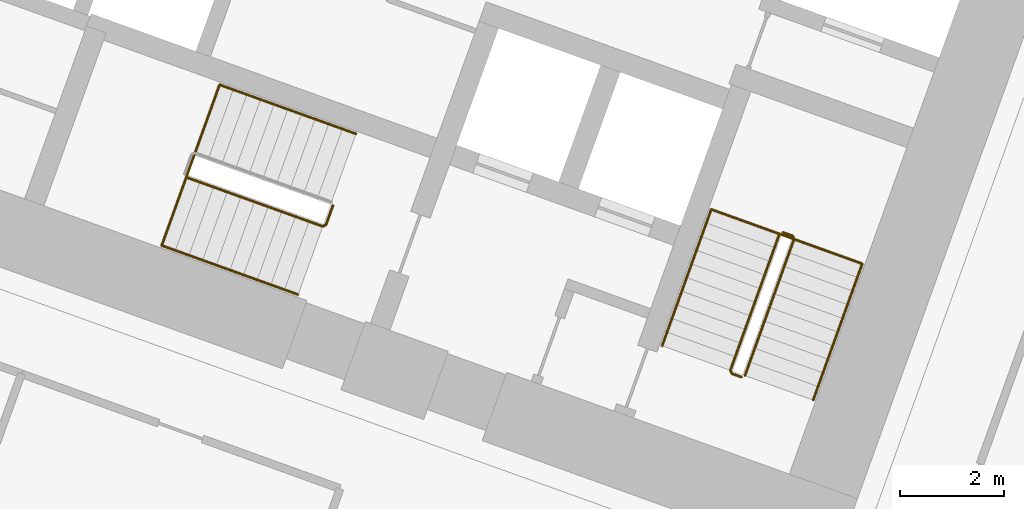
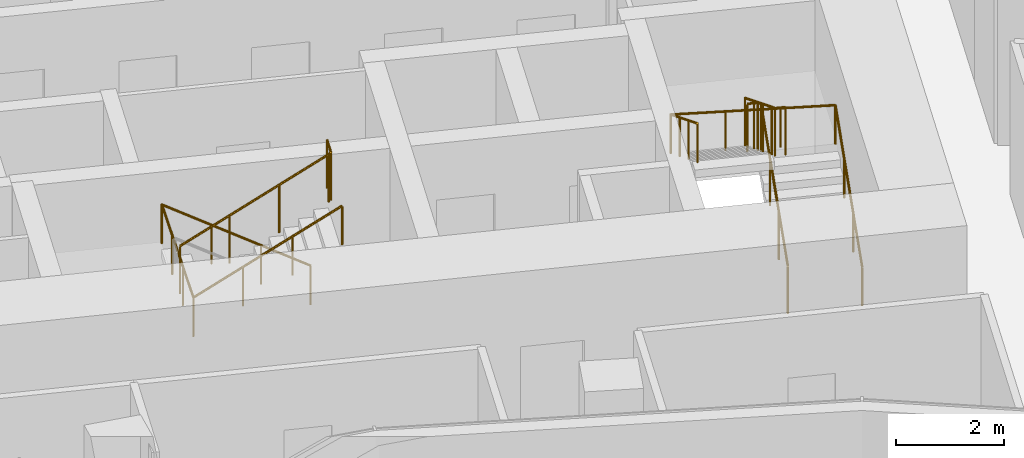
# One storey, part 21 of 21: 5 railings.
"""IFC4 building model written with IfcOpenShell, lengths in metres."""

from ifc_helpers import new_model, si_unit, direction, frame, origin, origin_2d, place, context, subcontext, project, spatial, circle, extrude, material, type_object, element, save


model = new_model("IFC4")

# Units and contexts
model_context = context("Model", 3, precision=1e-05, world=origin(), true_north=direction((0.0, 1.0)))
body_context = subcontext(model_context, "Body", "Model", "MODEL_VIEW")
ifc_project = project(units=[si_unit("LENGTHUNIT", "METRE"), si_unit("AREAUNIT", "SQUARE_METRE"), si_unit("VOLUMEUNIT", "CUBIC_METRE"), si_unit("PLANEANGLEUNIT", "RADIAN"), si_unit("MASSUNIT", "GRAM", prefix="KILO")], contexts=[model_context])

# Site, building, storey
site_placement = place(None, origin())
site = spatial("IfcSite", under=ifc_project, at=site_placement, CompositionType="ELEMENT")
building_placement = place(site_placement, origin())
building = spatial("IfcBuilding", under=site, at=building_placement, Name="Stone Belt Terrace Tower", CompositionType="ELEMENT")
storey_placement = place(building_placement, frame((0.0, 0.0, 159.199951171875)))
storey = spatial("IfcBuildingStorey", under=building, at=storey_placement, Name="L38", CompositionType="ELEMENT", Elevation=159.199951171875)

# Railings
ifc_material = material(Name="Structural steel C345", Category="steel")
railing_type_1 = type_object("IfcRailingType", Name="Stair guard 1100", PredefinedType="GUARDRAIL", material=ifc_material)
railing_1_placement = place(storey_placement, frame((24.494140625, 45.174560546875, 0.1728515625)))
element("IfcRailing", 1, at=railing_1_placement, inside=storey, type_object=railing_type_1, Name="L38 ST1B stair guard 1", PredefinedType="GUARDRAIL", context=body_context, shape_type="SweptSolid", body=[
    extrude(circle(Radius=0.02392578125, at=origin_2d()), frame((0.0, 0.0, 1.076171875), z_axis=(0.288228637646, 0.800791768495, 0.525030280985), x_axis=(-0.940908529223, 0.338660803216, 0.0)), (0.0, 0.0, 1.0), 3.289794921875),
    extrude(circle(Radius=0.02392578125, at=origin_2d()), frame((0.9482421875, 2.634521484375, 2.80322265625), z_axis=(-0.424964916, 0.905209821074, 0.0), x_axis=(-0.905209821074, -0.424964916, 0.0)), (0.0, 0.0, 1.0), 0.070556640625),
    extrude(circle(Radius=0.02392578125, at=origin_2d()), frame((0.918212890625, 2.698486328125, 2.80322265625), z_axis=(-0.941105063269, 0.338114270461, 0.0), x_axis=(-0.338114270461, -0.941105063269, 0.0)), (0.0, 0.0, 1.0), 0.199951171875),
    extrude(circle(Radius=0.02099609375, at=origin_2d()), origin(), (0.0, 0.0, 1.0), 1.052001953125),
    extrude(circle(Radius=0.02099609375, at=origin_2d()), frame((0.316162109375, 0.878173828125, 0.57568359375)), (0.0, 0.0, 1.0), 1.052001953125),
    extrude(circle(Radius=0.02099609375, at=origin_2d()), frame((0.632080078125, 1.75634765625, 1.151611328125)), (0.0, 0.0, 1.0), 1.052001953125),
    extrude(circle(Radius=0.02099609375, at=origin_2d()), frame((0.9482421875, 2.634521484375, 1.727294921875)), (0.0, 0.0, 1.0), 1.052001953125),
    extrude(circle(Radius=0.02099609375, at=origin_2d()), frame((0.918212890625, 2.698486328125, 1.727294921875)), (0.0, 0.0, 1.0), 1.052001953125),
    extrude(circle(Radius=0.02099609375, at=origin_2d()), frame((0.72998046875, 2.76611328125, 1.727294921875)), (0.0, 0.0, 1.0), 1.052001953125),
])
railing_2_placement = place(storey_placement, frame((25.16015625, 47.91064453125, 2.07275390625)))
element("IfcRailing", 2, at=railing_2_placement, inside=storey, type_object=railing_type_1, Name="L38 ST1B stair guard 2", PredefinedType="GUARDRAIL", context=body_context, shape_type="SweptSolid", body=[
    extrude(circle(Radius=0.02392578125, at=origin_2d()), frame((0.0, 0.0, 1.076171875), z_axis=(-0.288228637646, -0.800791768495, 0.525030280985), x_axis=(0.940908529223, -0.338660803216, 0.0)), (0.0, 0.0, 1.0), 3.289794921875),
    extrude(circle(Radius=0.02392578125, at=origin_2d()), frame((-0.9482421875, -2.634521484375, 2.80322265625), z_axis=(0.427789722475, -0.903878284585, 0.0), x_axis=(0.903878284585, 0.427789722475, 0.0)), (0.0, 0.0, 1.0), 0.07080078125),
    extrude(circle(Radius=0.02392578125, at=origin_2d()), frame((-0.91796875, -2.698486328125, 2.80322265625), z_axis=(0.940575576748, -0.339584429008, 0.0), x_axis=(0.339584429008, 0.940575576748, 0.0)), (0.0, 0.0, 1.0), 0.199951171875),
    extrude(circle(Radius=0.02099609375, at=origin_2d()), origin(), (0.0, 0.0, 1.0), 1.052001953125),
    extrude(circle(Radius=0.02099609375, at=origin_2d()), frame((-0.316162109375, -0.878173828125, 0.57568359375)), (0.0, 0.0, 1.0), 1.052001953125),
    extrude(circle(Radius=0.02099609375, at=origin_2d()), frame((-0.632080078125, -1.75634765625, 1.151611328125)), (0.0, 0.0, 1.0), 1.052001953125),
    extrude(circle(Radius=0.02099609375, at=origin_2d()), frame((-0.9482421875, -2.634521484375, 1.727294921875)), (0.0, 0.0, 1.0), 1.052001953125),
    extrude(circle(Radius=0.02099609375, at=origin_2d()), frame((-0.91796875, -2.698486328125, 1.727294921875)), (0.0, 0.0, 1.0), 1.052001953125),
    extrude(circle(Radius=0.02099609375, at=origin_2d()), frame((-0.72998046875, -2.766357421875, 1.727294921875)), (0.0, 0.0, 1.0), 1.052001953125),
])
railing_3_placement = place(storey_placement, frame((13.703857421875, 49.004638671875, 2.07275390625)))
element("IfcRailing", 3, at=railing_3_placement, inside=storey, type_object=railing_type_1, Name="L38 ST2B stair guard 2", PredefinedType="GUARDRAIL", context=body_context, shape_type="SweptSolid", body=[
    extrude(circle(Radius=0.02392578125, at=origin_2d()), frame((0.0, 0.0, 1.076171875), z_axis=(0.800808895155, -0.288160591223, 0.52504150989), x_axis=(0.338583606334, 0.940936311087, 0.0)), (0.0, 0.0, 1.0), 3.289794921875),
    extrude(circle(Radius=0.02392578125, at=origin_2d()), frame((2.634521484375, -0.947998046875, 2.80322265625), z_axis=(0.905209821074, 0.424964916, 0.0), x_axis=(-0.424964916, 0.905209821074, 0.0)), (0.0, 0.0, 1.0), 0.070556640625),
    extrude(circle(Radius=0.02392578125, at=origin_2d()), frame((2.698486328125, -0.91796875, 2.80322265625), z_axis=(0.338654645739, 0.940910745459, 0.0), x_axis=(-0.940910745459, 0.338654645739, 0.0)), (0.0, 0.0, 1.0), 0.400146484375),
    extrude(circle(Radius=0.02099609375, at=origin_2d()), origin(), (0.0, 0.0, 1.0), 1.052001953125),
    extrude(circle(Radius=0.02099609375, at=origin_2d()), frame((0.878173828125, -0.31591796875, 0.57568359375)), (0.0, 0.0, 1.0), 1.052001953125),
    extrude(circle(Radius=0.02099609375, at=origin_2d()), frame((1.75634765625, -0.632080078125, 1.151611328125)), (0.0, 0.0, 1.0), 1.052001953125),
    extrude(circle(Radius=0.02099609375, at=origin_2d()), frame((2.634521484375, -0.947998046875, 1.727294921875)), (0.0, 0.0, 1.0), 1.052001953125),
    extrude(circle(Radius=0.02099609375, at=origin_2d()), frame((2.698486328125, -0.91796875, 1.727294921875)), (0.0, 0.0, 1.0), 1.052001953125),
    extrude(circle(Radius=0.02099609375, at=origin_2d()), frame((2.833984375, -0.54150390625, 1.727294921875)), (0.0, 0.0, 1.0), 1.052001953125),
])
railing_type_2 = type_object("IfcRailingType", Name="Stair handrail 900", PredefinedType="HANDRAIL", material=ifc_material)
railing_4_placement = place(storey_placement, frame((25.8115234375, 44.700439453125, 0.1728515625)))
element("IfcRailing", 4, at=railing_4_placement, inside=storey, type_object=railing_type_2, Name="L38 ST1B stair handrail 1", PredefinedType="HANDRAIL", context=body_context, shape_type="SweptSolid", body=[
    extrude(circle(Radius=0.02392578125, at=origin_2d()), frame((0.0, 0.0, 0.8759765625), z_axis=(0.288228637646, 0.800791768495, 0.525030280985), x_axis=(-0.940908529223, 0.338660803216, 0.0)), (0.0, 0.0, 1.0), 3.289794921875),
    extrude(circle(Radius=0.02392578125, at=origin_2d()), frame((0.9482421875, 2.634521484375, 2.60302734375), z_axis=(-0.939464517435, 0.338106580597, 0.055591012205), x_axis=(-0.338630230244, -0.940919532779, 0.0)), (0.0, 0.0, 1.0), 3.10498046875),
    extrude(circle(Radius=0.02392578125, at=origin_2d()), frame((-1.96875, 3.684326171875, 2.77587890625), z_axis=(-0.288160591223, -0.800808895155, 0.52504150989), x_axis=(0.940936311087, -0.338583606334, 0.0)), (0.0, 0.0, 1.0), 3.289794921875),
    extrude(circle(Radius=0.02099609375, at=origin_2d()), origin(), (0.0, 0.0, 1.0), 0.851806640625),
    extrude(circle(Radius=0.02099609375, at=origin_2d()), frame((0.316162109375, 0.878173828125, 0.57568359375)), (0.0, 0.0, 1.0), 0.851806640625),
    extrude(circle(Radius=0.02099609375, at=origin_2d()), frame((0.632080078125, 1.75634765625, 1.151611328125)), (0.0, 0.0, 1.0), 0.851806640625),
    extrude(circle(Radius=0.02099609375, at=origin_2d()), frame((0.9482421875, 2.634521484375, 1.727294921875)), (0.0, 0.0, 1.0), 0.851806640625),
    extrude(circle(Radius=0.02099609375, at=origin_2d()), frame((-0.024169921875, 2.984375, 1.784912109375)), (0.0, 0.0, 1.0), 0.851806640625),
    extrude(circle(Radius=0.02099609375, at=origin_2d()), frame((-0.996337890625, 3.33447265625, 1.84228515625)), (0.0, 0.0, 1.0), 0.851806640625),
    extrude(circle(Radius=0.02099609375, at=origin_2d()), frame((-1.96875, 3.684326171875, 1.89990234375)), (0.0, 0.0, 1.0), 0.851806640625),
    extrude(circle(Radius=0.02099609375, at=origin_2d()), frame((-2.28466796875, 2.80615234375, 2.4755859375)), (0.0, 0.0, 1.0), 0.851806640625),
    extrude(circle(Radius=0.02099609375, at=origin_2d()), frame((-2.600830078125, 1.927978515625, 3.051513671875)), (0.0, 0.0, 1.0), 0.851806640625),
    extrude(circle(Radius=0.02099609375, at=origin_2d()), frame((-2.916748046875, 1.0498046875, 3.627197265625)), (0.0, 0.0, 1.0), 0.851806640625),
])
railing_5_placement = place(storey_placement, frame((16.981689453125, 49.84423828125, 0.1728515625)))
element("IfcRailing", 5, at=railing_5_placement, inside=storey, type_object=railing_type_2, Name="L38 ST2B stair handrail 1", PredefinedType="HANDRAIL", context=body_context, shape_type="SweptSolid", body=[
    extrude(circle(Radius=0.02392578125, at=origin_2d()), frame((0.0, 0.0, 0.8759765625), z_axis=(-0.800791768495, 0.288228637646, 0.525030280985), x_axis=(-0.338660803216, -0.940908529223, 0.0)), (0.0, 0.0, 1.0), 3.289794921875),
    extrude(circle(Radius=0.02392578125, at=origin_2d()), frame((-2.634521484375, 0.9482421875, 2.60302734375), z_axis=(-0.338160254016, -0.939637778147, 0.052234935458), x_axis=(0.940922302781, -0.338622533404, 0.0)), (0.0, 0.0, 1.0), 3.304443359375),
    extrude(circle(Radius=0.02392578125, at=origin_2d()), frame((-3.751953125, -2.15673828125, 2.77587890625), z_axis=(0.800791768495, -0.288228637646, 0.525030280985), x_axis=(0.338660803216, 0.940908529223, 0.0)), (0.0, 0.0, 1.0), 3.289794921875),
    extrude(circle(Radius=0.02099609375, at=origin_2d()), origin(), (0.0, 0.0, 1.0), 0.851806640625),
    extrude(circle(Radius=0.02099609375, at=origin_2d()), frame((-0.878173828125, 0.316162109375, 0.57568359375)), (0.0, 0.0, 1.0), 0.851806640625),
    extrude(circle(Radius=0.02099609375, at=origin_2d()), frame((-1.75634765625, 0.632080078125, 1.151611328125)), (0.0, 0.0, 1.0), 0.851806640625),
    extrude(circle(Radius=0.02099609375, at=origin_2d()), frame((-2.634521484375, 0.9482421875, 1.727294921875)), (0.0, 0.0, 1.0), 0.851806640625),
    extrude(circle(Radius=0.02099609375, at=origin_2d()), frame((-3.007080078125, -0.086669921875, 1.784912109375)), (0.0, 0.0, 1.0), 0.851806640625),
    extrude(circle(Radius=0.02099609375, at=origin_2d()), frame((-3.37939453125, -1.121826171875, 1.84228515625)), (0.0, 0.0, 1.0), 0.851806640625),
    extrude(circle(Radius=0.02099609375, at=origin_2d()), frame((-3.751953125, -2.15673828125, 1.89990234375)), (0.0, 0.0, 1.0), 0.851806640625),
    extrude(circle(Radius=0.02099609375, at=origin_2d()), frame((-2.873779296875, -2.472900390625, 2.4755859375)), (0.0, 0.0, 1.0), 0.851806640625),
    extrude(circle(Radius=0.02099609375, at=origin_2d()), frame((-1.99560546875, -2.788818359375, 3.051513671875)), (0.0, 0.0, 1.0), 0.851806640625),
    extrude(circle(Radius=0.02099609375, at=origin_2d()), frame((-1.117431640625, -3.10498046875, 3.627197265625)), (0.0, 0.0, 1.0), 0.851806640625),
])

save(model, "model.ifc")
